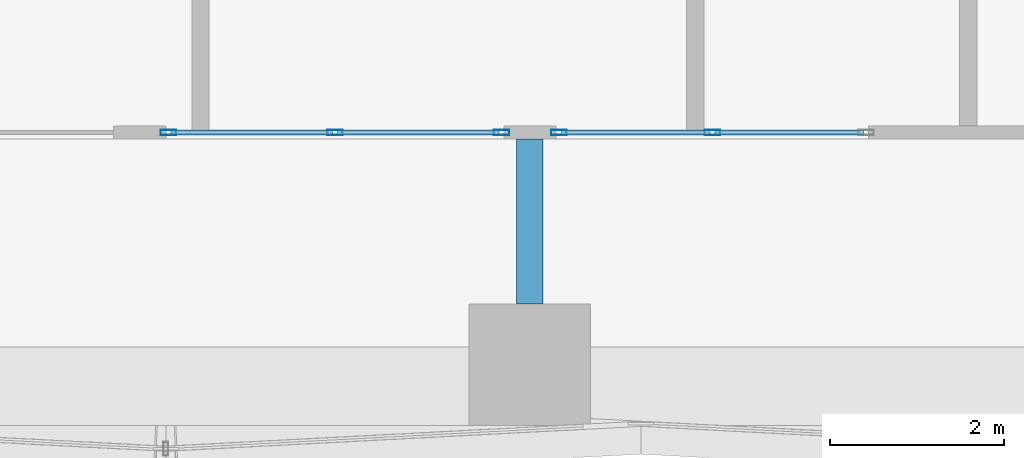
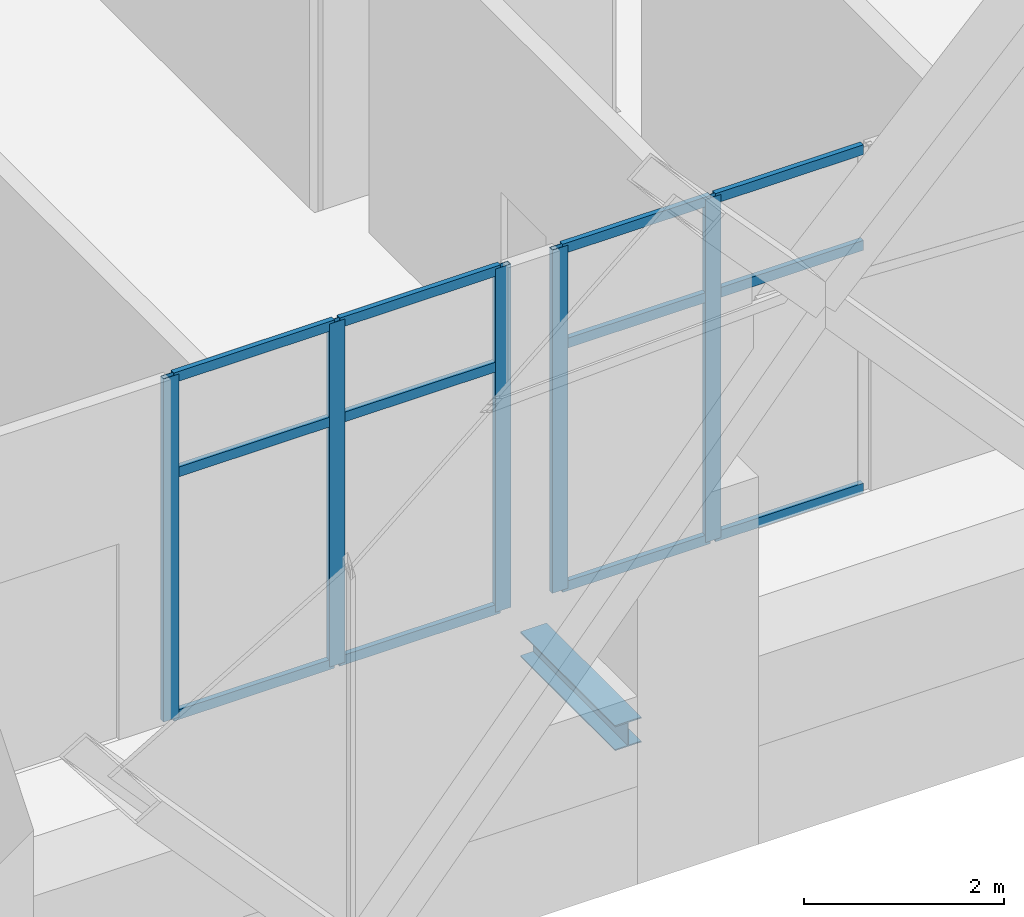
# One storey, part 10 of 46: 17 members, 1 beam, 2 elements without a shape of their own.
"""IFC4 building model written with IfcOpenShell, lengths in metres."""

from ifc_helpers import new_model, si_unit, direction, frame, origin, origin_2d, place, context, subcontext, project, spatial, hollow_rectangle, i_section, extrude, material, material_profile, profile_set, type_object, element, aggregate, save


model = new_model("IFC4")

# Units and contexts
model_context = context("Model", 3, precision=1e-05, world=origin(), true_north=direction((0.0, 1.0)))
body_context = subcontext(model_context, "Body", "Model", "MODEL_VIEW")
ifc_project = project(units=[si_unit("LENGTHUNIT", "METRE"), si_unit("AREAUNIT", "SQUARE_METRE"), si_unit("VOLUMEUNIT", "CUBIC_METRE"), si_unit("PLANEANGLEUNIT", "RADIAN"), si_unit("MASSUNIT", "GRAM", prefix="KILO")], contexts=[model_context])

# Site, building, storey
site_placement = place(None, origin())
site = spatial("IfcSite", under=ifc_project, at=site_placement, CompositionType="ELEMENT")
building_placement = place(site_placement, origin())
building = spatial("IfcBuilding", under=site, at=building_placement, Name="Ostrander Bayou Hotel Tower", CompositionType="ELEMENT")
storey_placement = place(building_placement, frame((0.0, 0.0, 23.5)))
storey = spatial("IfcBuildingStorey", under=building, at=storey_placement, Name="L05", CompositionType="ELEMENT", Elevation=23.5)

# Curtain wall, members
ifc_material_1 = material(Name="Aluminium and clear glass", Category="aluminium")
curtain_wall_type = type_object("IfcCurtainWallType", Name="CW-SKY amenity glass wall", PredefinedType="NOTDEFINED", material=ifc_material_1)
curtain_wall_1_placement = place(storey_placement, origin())
curtain_wall_1 = element("IfcCurtainWall", 1, at=curtain_wall_1_placement, inside=storey, type_object=curtain_wall_type, Name="CW-SKY L05 S 3", PredefinedType="NOTDEFINED")
ifc_material_2 = material(Name="Aluminium", Category="aluminium")
ifc_material_profile_1 = material_profile(ifc_material_2, hollow_rectangle(XDim=0.06005859375, YDim=0.179931640625, WallThickness=0.00390625, at=origin_2d()))
ifc_profile_set_1 = profile_set([ifc_material_profile_1], Name="Aluminium")
member_type_1 = type_object("IfcMemberType", Name="CW-SK mullion 60 x 180 mm", PredefinedType="MULLION", material=ifc_profile_set_1)
member_1_placement = place(storey_placement, frame((0.030029296875, -18.425048828125, 0.0), z_axis=(0.0, 0.0, 1.0), x_axis=(0.0, 1.0, 0.0)))
member_1 = element("IfcMember", 2, at=member_1_placement, type_object=member_type_1, Name="CW-SKY mullion 1", PredefinedType="MULLION", context=body_context, shape_type="SweptSolid", body=[
    extrude(hollow_rectangle(XDim=0.06005859375, YDim=0.179931640625, WallThickness=0.00390625, at=origin_2d()), origin(), (0.0, 0.0, 1.0), 4.199951171875),
])
member_2_placement = place(storey_placement, frame((1.949951171875, -18.425048828125, 0.0), z_axis=(0.0, 0.0, 1.0), x_axis=(0.0, 1.0, 0.0)))
member_2 = element("IfcMember", 3, at=member_2_placement, type_object=member_type_1, Name="CW-SKY mullion 2", PredefinedType="MULLION", context=body_context, shape_type="SweptSolid", body=[
    extrude(hollow_rectangle(XDim=0.06005859375, YDim=0.179931640625, WallThickness=0.00390625, at=origin_2d()), origin(), (0.0, 0.0, 1.0), 4.199951171875),
])
member_3_placement = place(storey_placement, frame((3.8701171875, -18.425048828125, 0.0), z_axis=(0.0, 0.0, 1.0), x_axis=(0.0, 1.0, 0.0)))
member_3 = element("IfcMember", 4, at=member_3_placement, type_object=member_type_1, Name="CW-SKY mullion 3", PredefinedType="MULLION", context=body_context, shape_type="SweptSolid", body=[
    extrude(hollow_rectangle(XDim=0.06005859375, YDim=0.179931640625, WallThickness=0.00390625, at=origin_2d()), origin(), (0.0, 0.0, 1.0), 4.199951171875),
])

curtain_wall_2_placement = place(storey_placement, origin())
curtain_wall_2 = element("IfcCurtainWall", 5, at=curtain_wall_2_placement, inside=storey, type_object=curtain_wall_type, Name="CW-SKY L05 S 4", PredefinedType="NOTDEFINED")
member_4_placement = place(storey_placement, frame((4.530029296875, -18.425048828125, 0.0), z_axis=(0.0, 0.0, 1.0), x_axis=(0.0, 1.0, 0.0)))
member_4 = element("IfcMember", 6, at=member_4_placement, type_object=member_type_1, Name="CW-SKY mullion 1", PredefinedType="MULLION", context=body_context, shape_type="SweptSolid", body=[
    extrude(hollow_rectangle(XDim=0.06005859375, YDim=0.179931640625, WallThickness=0.00390625, at=origin_2d()), origin(), (0.0, 0.0, 1.0), 4.199951171875),
])
member_5_placement = place(storey_placement, frame((6.300048828125, -18.425048828125, 0.0), z_axis=(0.0, 0.0, 1.0), x_axis=(0.0, 1.0, 0.0)))
member_5 = element("IfcMember", 7, at=member_5_placement, type_object=member_type_1, Name="CW-SKY mullion 2", PredefinedType="MULLION", context=body_context, shape_type="SweptSolid", body=[
    extrude(hollow_rectangle(XDim=0.06005859375, YDim=0.179931640625, WallThickness=0.00390625, at=origin_2d()), origin(), (0.0, 0.0, 1.0), 4.199951171875),
])

# Member
ifc_material_3 = material(Name="Aluminium", Category="aluminium")
ifc_material_profile_2 = material_profile(ifc_material_3, hollow_rectangle(XDim=0.06005859375, YDim=0.1201171875, WallThickness=0.00390625, at=origin_2d()))
ifc_profile_set_2 = profile_set([ifc_material_profile_2], Name="Aluminium")
member_type_2 = type_object("IfcMemberType", Name="CW-SK transom 60 x 120 mm", PredefinedType="USERDEFINED", material=ifc_profile_set_2)
member_6_placement = place(storey_placement, frame((0.06005859375, -18.425048828125, 0.030029296875), z_axis=(1.0, 0.0, 0.0), x_axis=(0.0, 1.0, 0.0)))
member_6 = element("IfcMember", 8, at=member_6_placement, type_object=member_type_2, Name="CW-SKY transom 1.1", ObjectType="TRANSOM", PredefinedType="USERDEFINED", context=body_context, shape_type="SweptSolid", body=[
    extrude(hollow_rectangle(XDim=0.06005859375, YDim=0.1201171875, WallThickness=0.00390625, at=origin_2d()), origin(), (0.0, 0.0, 1.0), 1.85986328125),
])

member_7_placement = place(storey_placement, frame((0.06005859375, -18.425048828125, 3.0), z_axis=(1.0, 0.0, 0.0), x_axis=(0.0, 1.0, 0.0)))
member_7 = element("IfcMember", 9, at=member_7_placement, type_object=member_type_2, Name="CW-SKY transom 1.2", ObjectType="TRANSOM", PredefinedType="USERDEFINED", context=body_context, shape_type="SweptSolid", body=[
    extrude(hollow_rectangle(XDim=0.06005859375, YDim=0.1201171875, WallThickness=0.00390625, at=origin_2d()), origin(), (0.0, 0.0, 1.0), 1.85986328125),
])

member_8_placement = place(storey_placement, frame((0.06005859375, -18.425048828125, 4.169921875), z_axis=(1.0, 0.0, 0.0), x_axis=(0.0, 1.0, 0.0)))
member_8 = element("IfcMember", 10, at=member_8_placement, type_object=member_type_2, Name="CW-SKY transom 1.3", ObjectType="TRANSOM", PredefinedType="USERDEFINED", context=body_context, shape_type="SweptSolid", body=[
    extrude(hollow_rectangle(XDim=0.06005859375, YDim=0.1201171875, WallThickness=0.00390625, at=origin_2d()), origin(), (0.0, 0.0, 1.0), 1.85986328125),
])

member_9_placement = place(storey_placement, frame((1.97998046875, -18.425048828125, 0.030029296875), z_axis=(1.0, 0.0, 0.0), x_axis=(0.0, 1.0, 0.0)))
member_9 = element("IfcMember", 11, at=member_9_placement, type_object=member_type_2, Name="CW-SKY transom 2.1", ObjectType="TRANSOM", PredefinedType="USERDEFINED", context=body_context, shape_type="SweptSolid", body=[
    extrude(hollow_rectangle(XDim=0.06005859375, YDim=0.1201171875, WallThickness=0.00390625, at=origin_2d()), origin(), (0.0, 0.0, 1.0), 1.860107421875),
])

member_10_placement = place(storey_placement, frame((1.97998046875, -18.425048828125, 3.0), z_axis=(1.0, 0.0, 0.0), x_axis=(0.0, 1.0, 0.0)))
member_10 = element("IfcMember", 12, at=member_10_placement, type_object=member_type_2, Name="CW-SKY transom 2.2", ObjectType="TRANSOM", PredefinedType="USERDEFINED", context=body_context, shape_type="SweptSolid", body=[
    extrude(hollow_rectangle(XDim=0.06005859375, YDim=0.1201171875, WallThickness=0.00390625, at=origin_2d()), origin(), (0.0, 0.0, 1.0), 1.860107421875),
])

member_11_placement = place(storey_placement, frame((1.97998046875, -18.425048828125, 4.169921875), z_axis=(1.0, 0.0, 0.0), x_axis=(0.0, 1.0, 0.0)))
member_11 = element("IfcMember", 13, at=member_11_placement, type_object=member_type_2, Name="CW-SKY transom 2.3", ObjectType="TRANSOM", PredefinedType="USERDEFINED", context=body_context, shape_type="SweptSolid", body=[
    extrude(hollow_rectangle(XDim=0.06005859375, YDim=0.1201171875, WallThickness=0.00390625, at=origin_2d()), origin(), (0.0, 0.0, 1.0), 1.860107421875),
])

aggregate(curtain_wall_1, [member_1, member_2, member_3, member_6, member_7, member_8, member_9, member_10, member_11])

member_12_placement = place(storey_placement, frame((4.56005859375, -18.425048828125, 0.030029296875), z_axis=(1.0, 0.0, 0.0), x_axis=(0.0, 1.0, 0.0)))
member_12 = element("IfcMember", 14, at=member_12_placement, type_object=member_type_2, Name="CW-SKY transom 1.1", ObjectType="TRANSOM", PredefinedType="USERDEFINED", context=body_context, shape_type="SweptSolid", body=[
    extrude(hollow_rectangle(XDim=0.06005859375, YDim=0.1201171875, WallThickness=0.00390625, at=origin_2d()), origin(), (0.0, 0.0, 1.0), 1.7099609375),
])

member_13_placement = place(storey_placement, frame((4.56005859375, -18.425048828125, 3.0), z_axis=(1.0, 0.0, 0.0), x_axis=(0.0, 1.0, 0.0)))
member_13 = element("IfcMember", 15, at=member_13_placement, type_object=member_type_2, Name="CW-SKY transom 1.2", ObjectType="TRANSOM", PredefinedType="USERDEFINED", context=body_context, shape_type="SweptSolid", body=[
    extrude(hollow_rectangle(XDim=0.06005859375, YDim=0.1201171875, WallThickness=0.00390625, at=origin_2d()), origin(), (0.0, 0.0, 1.0), 1.7099609375),
])

member_14_placement = place(storey_placement, frame((4.56005859375, -18.425048828125, 4.169921875), z_axis=(1.0, 0.0, 0.0), x_axis=(0.0, 1.0, 0.0)))
member_14 = element("IfcMember", 16, at=member_14_placement, type_object=member_type_2, Name="CW-SKY transom 1.3", ObjectType="TRANSOM", PredefinedType="USERDEFINED", context=body_context, shape_type="SweptSolid", body=[
    extrude(hollow_rectangle(XDim=0.06005859375, YDim=0.1201171875, WallThickness=0.00390625, at=origin_2d()), origin(), (0.0, 0.0, 1.0), 1.7099609375),
])

member_15_placement = place(storey_placement, frame((6.330078125, -18.425048828125, 0.030029296875), z_axis=(1.0, 0.0, 0.0), x_axis=(0.0, 1.0, 0.0)))
member_15 = element("IfcMember", 17, at=member_15_placement, type_object=member_type_2, Name="CW-SKY transom 2.1", ObjectType="TRANSOM", PredefinedType="USERDEFINED", context=body_context, shape_type="SweptSolid", body=[
    extrude(hollow_rectangle(XDim=0.06005859375, YDim=0.1201171875, WallThickness=0.00390625, at=origin_2d()), origin(), (0.0, 0.0, 1.0), 1.7099609375),
])

member_16_placement = place(storey_placement, frame((6.330078125, -18.425048828125, 3.0), z_axis=(1.0, 0.0, 0.0), x_axis=(0.0, 1.0, 0.0)))
member_16 = element("IfcMember", 18, at=member_16_placement, type_object=member_type_2, Name="CW-SKY transom 2.2", ObjectType="TRANSOM", PredefinedType="USERDEFINED", context=body_context, shape_type="SweptSolid", body=[
    extrude(hollow_rectangle(XDim=0.06005859375, YDim=0.1201171875, WallThickness=0.00390625, at=origin_2d()), origin(), (0.0, 0.0, 1.0), 1.7099609375),
])

member_17_placement = place(storey_placement, frame((6.330078125, -18.425048828125, 4.169921875), z_axis=(1.0, 0.0, 0.0), x_axis=(0.0, 1.0, 0.0)))
member_17 = element("IfcMember", 19, at=member_17_placement, type_object=member_type_2, Name="CW-SKY transom 2.3", ObjectType="TRANSOM", PredefinedType="USERDEFINED", context=body_context, shape_type="SweptSolid", body=[
    extrude(hollow_rectangle(XDim=0.06005859375, YDim=0.1201171875, WallThickness=0.00390625, at=origin_2d()), origin(), (0.0, 0.0, 1.0), 1.7099609375),
])

aggregate(curtain_wall_2, [member_4, member_5, member_12, member_13, member_14, member_15, member_16, member_17])

# Beam
ifc_material_4 = material(Name="Steel ASTM A992", Category="steel")
ifc_material_profile_3 = material_profile(ifc_material_4, i_section(OverallWidth=0.3046875, OverallDepth=0.307861328125, WebThickness=0.010009765625, FlangeThickness=0.015380859375, at=origin_2d()))
ifc_profile_set_3 = profile_set([ifc_material_profile_3], Name="Steel ASTM A992")
beam_type = type_object("IfcBeamType", Name="LB1 loggia bracket W12x65", PredefinedType="BEAM", material=ifc_profile_set_3)
beam_placement = place(storey_placement, frame((4.1953125, -20.39990234375, -0.453857421875), z_axis=(0.0, 1.0, 0.0), x_axis=(-1.0, 0.0, 0.0)))
element("IfcBeam", 20, at=beam_placement, inside=storey, type_object=beam_type, Name="LB1 L05 S2", PredefinedType="BEAM", context=body_context, shape_type="SweptSolid", body=[
    extrude(i_section(OverallWidth=0.3046875, OverallDepth=0.307861328125, WebThickness=0.010009765625, FlangeThickness=0.015380859375, at=origin_2d()), origin(), (0.0, 0.0, 1.0), 1.89990234375),
])

save(model, "model.ifc")
